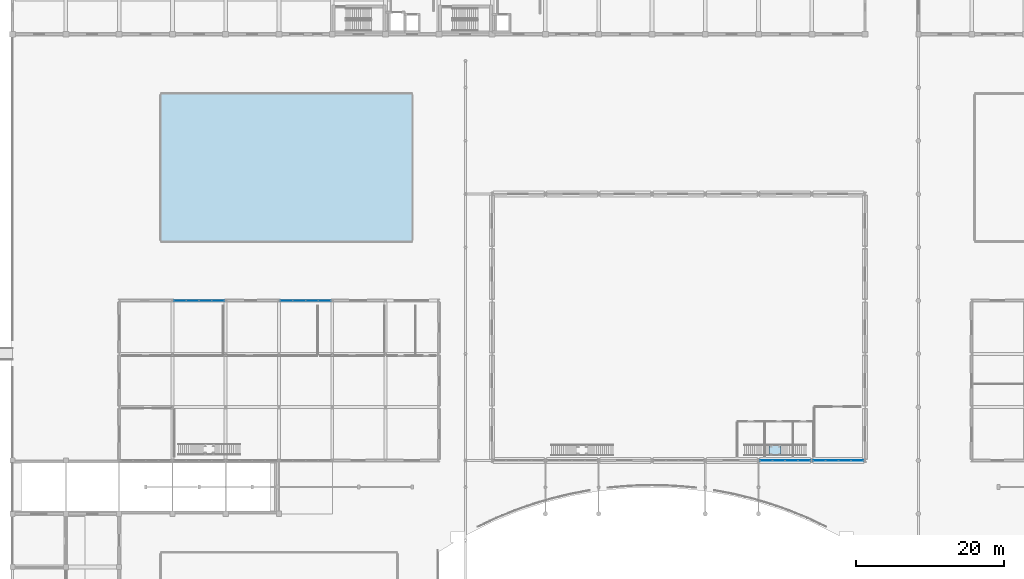
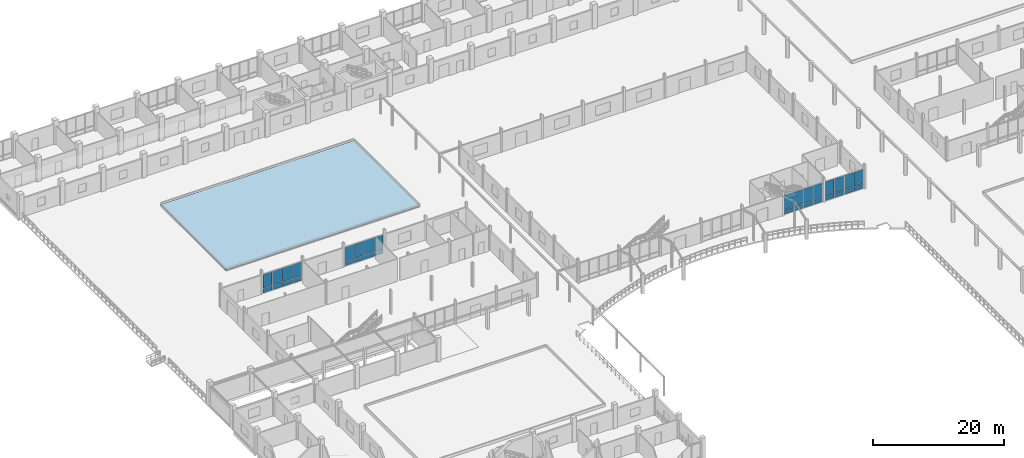
# One storey, part 104 of 139: 32 plates, 2 slabs, 5 elements without a shape of their own.
"""IFC4 building model written with IfcOpenShell, lengths in metres."""

from ifc_helpers import new_model, si_unit, direction, frame, origin, origin_2d, place, context, subcontext, project, spatial, polyline, rectangle, outline, extrude, material, layer, layer_set, type_object, element, aggregate, save


model = new_model("IFC4")

# Units and contexts
model_context = context("Model", 3, precision=1e-05, world=origin(), true_north=direction((0.0, 1.0)))
body_context = subcontext(model_context, "Body", "Model", "MODEL_VIEW")
ifc_project = project(units=[si_unit("LENGTHUNIT", "METRE"), si_unit("AREAUNIT", "SQUARE_METRE"), si_unit("VOLUMEUNIT", "CUBIC_METRE"), si_unit("PLANEANGLEUNIT", "RADIAN"), si_unit("MASSUNIT", "GRAM", prefix="KILO")], contexts=[model_context])

# Site, building, storey
site_placement = place(None, origin())
site = spatial("IfcSite", under=ifc_project, at=site_placement, CompositionType="ELEMENT")
building_placement = place(site_placement, origin())
building = spatial("IfcBuilding", under=site, at=building_placement, Name="Suanplinth Sawtooth Commons", CompositionType="ELEMENT")
storey_placement = place(building_placement, origin())
storey = spatial("IfcBuildingStorey", under=building, at=storey_placement, Name="L00", CompositionType="ELEMENT", Elevation=0.0)

# Curtain wall, plates
ifc_material_1 = material(Name="Anodized aluminium and low-E glazing", Category="aluminium")
curtain_wall_type_1 = type_object("IfcCurtainWallType", Name="CW-02", PredefinedType="USERDEFINED", material=ifc_material_1)
curtain_wall_1_placement = place(storey_placement, origin())
curtain_wall_1 = element("IfcCurtainWall", 1, at=curtain_wall_1_placement, inside=storey, type_object=curtain_wall_type_1, Name="Curtain Wall CW-L00-MKT-N-3", ObjectType="CURTAIN WALL", PredefinedType="USERDEFINED")
ifc_material_2 = material(Name="Tempered low-E double glazing", Category="glass")
ifc_layer_1 = layer(ifc_material_2, 0.028076171875, Name="Vision low-E insulated glazing unit 28mm")
ifc_layer_set_1 = layer_set([ifc_layer_1], Name="Tempered low-E double glazing")
plate_type_1 = type_object("IfcPlateType", Name="PL-05", PredefinedType="CURTAIN_PANEL", material=ifc_layer_set_1)
plate_1_placement = place(storey_placement, frame((22.628662109375, 72.0, 0.06494140625), z_axis=(0.0, 0.0, 1.0), x_axis=(1.0, 0.0, 0.0)))
plate_1 = element("IfcPlate", 2, at=plate_1_placement, type_object=plate_type_1, Name="CW-02 panel 1.1", PredefinedType="CURTAIN_PANEL", context=body_context, shape_type="SweptSolid", body=[
    extrude(rectangle(XDim=1.62744140625, YDim=0.028076171875, at=origin_2d()), origin(), (0.0, 0.0, 1.0), 0.802490234375),
])
plate_2_placement = place(storey_placement, frame((22.628662109375, 72.0, 0.9326171875), z_axis=(0.0, 0.0, 1.0), x_axis=(1.0, 0.0, 0.0)))
plate_2 = element("IfcPlate", 3, at=plate_2_placement, type_object=plate_type_1, Name="CW-02 panel 1.2", PredefinedType="CURTAIN_PANEL", context=body_context, shape_type="SweptSolid", body=[
    extrude(rectangle(XDim=1.62744140625, YDim=0.028076171875, at=origin_2d()), origin(), (0.0, 0.0, 1.0), 2.552490234375),
])
plate_3_placement = place(storey_placement, frame((24.33740234375, 72.0, 0.06494140625), z_axis=(0.0, 0.0, 1.0), x_axis=(1.0, 0.0, 0.0)))
plate_3 = element("IfcPlate", 4, at=plate_3_placement, type_object=plate_type_1, Name="CW-02 panel 2.1", PredefinedType="CURTAIN_PANEL", context=body_context, shape_type="SweptSolid", body=[
    extrude(rectangle(XDim=1.659912109375, YDim=0.028076171875, at=origin_2d()), origin(), (0.0, 0.0, 1.0), 0.802490234375),
])
plate_4_placement = place(storey_placement, frame((24.33740234375, 72.0, 0.9326171875), z_axis=(0.0, 0.0, 1.0), x_axis=(1.0, 0.0, 0.0)))
plate_4 = element("IfcPlate", 5, at=plate_4_placement, type_object=plate_type_1, Name="CW-02 panel 2.2", PredefinedType="CURTAIN_PANEL", context=body_context, shape_type="SweptSolid", body=[
    extrude(rectangle(XDim=1.659912109375, YDim=0.028076171875, at=origin_2d()), origin(), (0.0, 0.0, 1.0), 2.552490234375),
])
plate_5_placement = place(storey_placement, frame((26.0625, 72.0, 0.06494140625), z_axis=(0.0, 0.0, 1.0), x_axis=(1.0, 0.0, 0.0)))
plate_5 = element("IfcPlate", 6, at=plate_5_placement, type_object=plate_type_1, Name="CW-02 panel 3.1", PredefinedType="CURTAIN_PANEL", context=body_context, shape_type="SweptSolid", body=[
    extrude(rectangle(XDim=1.659912109375, YDim=0.028076171875, at=origin_2d()), origin(), (0.0, 0.0, 1.0), 0.802490234375),
])
plate_6_placement = place(storey_placement, frame((26.0625, 72.0, 0.9326171875), z_axis=(0.0, 0.0, 1.0), x_axis=(1.0, 0.0, 0.0)))
plate_6 = element("IfcPlate", 7, at=plate_6_placement, type_object=plate_type_1, Name="CW-02 panel 3.2", PredefinedType="CURTAIN_PANEL", context=body_context, shape_type="SweptSolid", body=[
    extrude(rectangle(XDim=1.659912109375, YDim=0.028076171875, at=origin_2d()), origin(), (0.0, 0.0, 1.0), 2.552490234375),
])
plate_7_placement = place(storey_placement, frame((27.771240234375, 72.0, 0.06494140625), z_axis=(0.0, 0.0, 1.0), x_axis=(1.0, 0.0, 0.0)))
plate_7 = element("IfcPlate", 8, at=plate_7_placement, type_object=plate_type_1, Name="CW-02 panel 4.1", PredefinedType="CURTAIN_PANEL", context=body_context, shape_type="SweptSolid", body=[
    extrude(rectangle(XDim=1.62744140625, YDim=0.028076171875, at=origin_2d()), origin(), (0.0, 0.0, 1.0), 0.802490234375),
])
plate_8_placement = place(storey_placement, frame((27.771240234375, 72.0, 0.9326171875), z_axis=(0.0, 0.0, 1.0), x_axis=(1.0, 0.0, 0.0)))
plate_8 = element("IfcPlate", 9, at=plate_8_placement, type_object=plate_type_1, Name="CW-02 panel 4.2", PredefinedType="CURTAIN_PANEL", context=body_context, shape_type="SweptSolid", body=[
    extrude(rectangle(XDim=1.62744140625, YDim=0.028076171875, at=origin_2d()), origin(), (0.0, 0.0, 1.0), 2.552490234375),
])
aggregate(curtain_wall_1, [plate_1, plate_2, plate_3, plate_4, plate_5, plate_6, plate_7, plate_8])

curtain_wall_2_placement = place(storey_placement, origin())
curtain_wall_2 = element("IfcCurtainWall", 10, at=curtain_wall_2_placement, inside=storey, type_object=curtain_wall_type_1, Name="Curtain Wall CW-L00-MKT-N-5", ObjectType="CURTAIN WALL", PredefinedType="USERDEFINED")
plate_9_placement = place(storey_placement, frame((37.02880859375, 72.0, 0.06494140625), z_axis=(0.0, 0.0, 1.0), x_axis=(1.0, 0.0, 0.0)))
plate_9 = element("IfcPlate", 11, at=plate_9_placement, type_object=plate_type_1, Name="CW-02 panel 1.1", PredefinedType="CURTAIN_PANEL", context=body_context, shape_type="SweptSolid", body=[
    extrude(rectangle(XDim=1.62744140625, YDim=0.028076171875, at=origin_2d()), origin(), (0.0, 0.0, 1.0), 0.802490234375),
])
plate_10_placement = place(storey_placement, frame((37.02880859375, 72.0, 0.9326171875), z_axis=(0.0, 0.0, 1.0), x_axis=(1.0, 0.0, 0.0)))
plate_10 = element("IfcPlate", 12, at=plate_10_placement, type_object=plate_type_1, Name="CW-02 panel 1.2", PredefinedType="CURTAIN_PANEL", context=body_context, shape_type="SweptSolid", body=[
    extrude(rectangle(XDim=1.62744140625, YDim=0.028076171875, at=origin_2d()), origin(), (0.0, 0.0, 1.0), 2.552490234375),
])
plate_11_placement = place(storey_placement, frame((38.737548828125, 72.0, 0.06494140625), z_axis=(0.0, 0.0, 1.0), x_axis=(1.0, 0.0, 0.0)))
plate_11 = element("IfcPlate", 13, at=plate_11_placement, type_object=plate_type_1, Name="CW-02 panel 2.1", PredefinedType="CURTAIN_PANEL", context=body_context, shape_type="SweptSolid", body=[
    extrude(rectangle(XDim=1.659912109375, YDim=0.028076171875, at=origin_2d()), origin(), (0.0, 0.0, 1.0), 0.802490234375),
])
plate_12_placement = place(storey_placement, frame((38.737548828125, 72.0, 0.9326171875), z_axis=(0.0, 0.0, 1.0), x_axis=(1.0, 0.0, 0.0)))
plate_12 = element("IfcPlate", 14, at=plate_12_placement, type_object=plate_type_1, Name="CW-02 panel 2.2", PredefinedType="CURTAIN_PANEL", context=body_context, shape_type="SweptSolid", body=[
    extrude(rectangle(XDim=1.659912109375, YDim=0.028076171875, at=origin_2d()), origin(), (0.0, 0.0, 1.0), 2.552490234375),
])
plate_13_placement = place(storey_placement, frame((40.46240234375, 72.0, 0.06494140625), z_axis=(0.0, 0.0, 1.0), x_axis=(1.0, 0.0, 0.0)))
plate_13 = element("IfcPlate", 15, at=plate_13_placement, type_object=plate_type_1, Name="CW-02 panel 3.1", PredefinedType="CURTAIN_PANEL", context=body_context, shape_type="SweptSolid", body=[
    extrude(rectangle(XDim=1.659912109375, YDim=0.028076171875, at=origin_2d()), origin(), (0.0, 0.0, 1.0), 0.802490234375),
])
plate_14_placement = place(storey_placement, frame((40.46240234375, 72.0, 0.9326171875), z_axis=(0.0, 0.0, 1.0), x_axis=(1.0, 0.0, 0.0)))
plate_14 = element("IfcPlate", 16, at=plate_14_placement, type_object=plate_type_1, Name="CW-02 panel 3.2", PredefinedType="CURTAIN_PANEL", context=body_context, shape_type="SweptSolid", body=[
    extrude(rectangle(XDim=1.659912109375, YDim=0.028076171875, at=origin_2d()), origin(), (0.0, 0.0, 1.0), 2.552490234375),
])
plate_15_placement = place(storey_placement, frame((42.171142578125, 72.0, 0.06494140625), z_axis=(0.0, 0.0, 1.0), x_axis=(1.0, 0.0, 0.0)))
plate_15 = element("IfcPlate", 17, at=plate_15_placement, type_object=plate_type_1, Name="CW-02 panel 4.1", PredefinedType="CURTAIN_PANEL", context=body_context, shape_type="SweptSolid", body=[
    extrude(rectangle(XDim=1.62744140625, YDim=0.028076171875, at=origin_2d()), origin(), (0.0, 0.0, 1.0), 0.802490234375),
])
plate_16_placement = place(storey_placement, frame((42.171142578125, 72.0, 0.9326171875), z_axis=(0.0, 0.0, 1.0), x_axis=(1.0, 0.0, 0.0)))
plate_16 = element("IfcPlate", 18, at=plate_16_placement, type_object=plate_type_1, Name="CW-02 panel 4.2", PredefinedType="CURTAIN_PANEL", context=body_context, shape_type="SweptSolid", body=[
    extrude(rectangle(XDim=1.62744140625, YDim=0.028076171875, at=origin_2d()), origin(), (0.0, 0.0, 1.0), 2.552490234375),
])
aggregate(curtain_wall_2, [plate_9, plate_10, plate_11, plate_12, plate_13, plate_14, plate_15, plate_16])

curtain_wall_type_2 = type_object("IfcCurtainWallType", Name="CW-01", PredefinedType="USERDEFINED", material=ifc_material_1)
curtain_wall_3_placement = place(storey_placement, origin())
curtain_wall_3 = element("IfcCurtainWall", 19, at=curtain_wall_3_placement, inside=storey, type_object=curtain_wall_type_2, Name="Curtain Wall CW-L00-HALL-S-5", ObjectType="CURTAIN WALL", PredefinedType="USERDEFINED")
ifc_material_3 = material(Name="Laminated solar-control acoustic glazing", Category="glass")
ifc_layer_2 = layer(ifc_material_3, 0.031982421875, Name="Acoustic laminated vision glazing panel 32mm")
ifc_layer_set_2 = layer_set([ifc_layer_2], Name="Laminated solar-control acoustic glazing")
plate_type_2 = type_object("IfcPlateType", Name="PL-06", PredefinedType="CURTAIN_PANEL", material=ifc_layer_set_2)
plate_17_placement = place(storey_placement, frame((101.831298828125, 50.39990234375, 0.074951171875), z_axis=(0.0, 0.0, 1.0), x_axis=(1.0, 0.0, 0.0)))
plate_17 = element("IfcPlate", 20, at=plate_17_placement, type_object=plate_type_2, Name="CW-01 panel 1.1", PredefinedType="CURTAIN_PANEL", context=body_context, shape_type="SweptSolid", body=[
    extrude(rectangle(XDim=1.612548828125, YDim=0.031982421875, at=origin_2d()), origin(), (0.0, 0.0, 1.0), 0.78759765625),
])
plate_18_placement = place(storey_placement, frame((101.831298828125, 50.39990234375, 0.9375), z_axis=(0.0, 0.0, 1.0), x_axis=(1.0, 0.0, 0.0)))
plate_18 = element("IfcPlate", 21, at=plate_18_placement, type_object=plate_type_2, Name="CW-01 panel 1.2", PredefinedType="CURTAIN_PANEL", context=body_context, shape_type="SweptSolid", body=[
    extrude(rectangle(XDim=1.612548828125, YDim=0.031982421875, at=origin_2d()), origin(), (0.0, 0.0, 1.0), 2.637451171875),
])
plate_19_placement = place(storey_placement, frame((103.53759765625, 50.39990234375, 0.074951171875), z_axis=(0.0, 0.0, 1.0), x_axis=(1.0, 0.0, 0.0)))
plate_19 = element("IfcPlate", 22, at=plate_19_placement, type_object=plate_type_2, Name="CW-01 panel 2.1", PredefinedType="CURTAIN_PANEL", context=body_context, shape_type="SweptSolid", body=[
    extrude(rectangle(XDim=1.64990234375, YDim=0.031982421875, at=origin_2d()), origin(), (0.0, 0.0, 1.0), 0.78759765625),
])
plate_20_placement = place(storey_placement, frame((103.53759765625, 50.39990234375, 0.9375), z_axis=(0.0, 0.0, 1.0), x_axis=(1.0, 0.0, 0.0)))
plate_20 = element("IfcPlate", 23, at=plate_20_placement, type_object=plate_type_2, Name="CW-01 panel 2.2", PredefinedType="CURTAIN_PANEL", context=body_context, shape_type="SweptSolid", body=[
    extrude(rectangle(XDim=1.64990234375, YDim=0.031982421875, at=origin_2d()), origin(), (0.0, 0.0, 1.0), 2.637451171875),
])
plate_21_placement = place(storey_placement, frame((105.262451171875, 50.39990234375, 0.074951171875), z_axis=(0.0, 0.0, 1.0), x_axis=(1.0, 0.0, 0.0)))
plate_21 = element("IfcPlate", 24, at=plate_21_placement, type_object=plate_type_2, Name="CW-01 panel 3.1", PredefinedType="CURTAIN_PANEL", context=body_context, shape_type="SweptSolid", body=[
    extrude(rectangle(XDim=1.64990234375, YDim=0.031982421875, at=origin_2d()), origin(), (0.0, 0.0, 1.0), 0.78759765625),
])
plate_22_placement = place(storey_placement, frame((105.262451171875, 50.39990234375, 0.9375), z_axis=(0.0, 0.0, 1.0), x_axis=(1.0, 0.0, 0.0)))
plate_22 = element("IfcPlate", 25, at=plate_22_placement, type_object=plate_type_2, Name="CW-01 panel 3.2", PredefinedType="CURTAIN_PANEL", context=body_context, shape_type="SweptSolid", body=[
    extrude(rectangle(XDim=1.64990234375, YDim=0.031982421875, at=origin_2d()), origin(), (0.0, 0.0, 1.0), 2.637451171875),
])
plate_23_placement = place(storey_placement, frame((106.96875, 50.39990234375, 0.074951171875), z_axis=(0.0, 0.0, 1.0), x_axis=(1.0, 0.0, 0.0)))
plate_23 = element("IfcPlate", 26, at=plate_23_placement, type_object=plate_type_2, Name="CW-01 panel 4.1", PredefinedType="CURTAIN_PANEL", context=body_context, shape_type="SweptSolid", body=[
    extrude(rectangle(XDim=1.612548828125, YDim=0.031982421875, at=origin_2d()), origin(), (0.0, 0.0, 1.0), 0.78759765625),
])
plate_24_placement = place(storey_placement, frame((106.96875, 50.39990234375, 0.9375), z_axis=(0.0, 0.0, 1.0), x_axis=(1.0, 0.0, 0.0)))
plate_24 = element("IfcPlate", 27, at=plate_24_placement, type_object=plate_type_2, Name="CW-01 panel 4.2", PredefinedType="CURTAIN_PANEL", context=body_context, shape_type="SweptSolid", body=[
    extrude(rectangle(XDim=1.612548828125, YDim=0.031982421875, at=origin_2d()), origin(), (0.0, 0.0, 1.0), 2.637451171875),
])
aggregate(curtain_wall_3, [plate_17, plate_18, plate_19, plate_20, plate_21, plate_22, plate_23, plate_24])

curtain_wall_4_placement = place(storey_placement, origin())
curtain_wall_4 = element("IfcCurtainWall", 28, at=curtain_wall_4_placement, inside=storey, type_object=curtain_wall_type_2, Name="Curtain Wall CW-L00-HALL-S-6", ObjectType="CURTAIN WALL", PredefinedType="USERDEFINED")
plate_25_placement = place(storey_placement, frame((109.03125, 50.39990234375, 0.074951171875), z_axis=(0.0, 0.0, 1.0), x_axis=(1.0, 0.0, 0.0)))
plate_25 = element("IfcPlate", 29, at=plate_25_placement, type_object=plate_type_2, Name="CW-01 panel 1.1", PredefinedType="CURTAIN_PANEL", context=body_context, shape_type="SweptSolid", body=[
    extrude(rectangle(XDim=1.612548828125, YDim=0.031982421875, at=origin_2d()), origin(), (0.0, 0.0, 1.0), 0.78759765625),
])
plate_26_placement = place(storey_placement, frame((109.03125, 50.39990234375, 0.9375), z_axis=(0.0, 0.0, 1.0), x_axis=(1.0, 0.0, 0.0)))
plate_26 = element("IfcPlate", 30, at=plate_26_placement, type_object=plate_type_2, Name="CW-01 panel 1.2", PredefinedType="CURTAIN_PANEL", context=body_context, shape_type="SweptSolid", body=[
    extrude(rectangle(XDim=1.612548828125, YDim=0.031982421875, at=origin_2d()), origin(), (0.0, 0.0, 1.0), 2.637451171875),
])
plate_27_placement = place(storey_placement, frame((110.737548828125, 50.39990234375, 0.074951171875), z_axis=(0.0, 0.0, 1.0), x_axis=(1.0, 0.0, 0.0)))
plate_27 = element("IfcPlate", 31, at=plate_27_placement, type_object=plate_type_2, Name="CW-01 panel 2.1", PredefinedType="CURTAIN_PANEL", context=body_context, shape_type="SweptSolid", body=[
    extrude(rectangle(XDim=1.64990234375, YDim=0.031982421875, at=origin_2d()), origin(), (0.0, 0.0, 1.0), 0.78759765625),
])
plate_28_placement = place(storey_placement, frame((110.737548828125, 50.39990234375, 0.9375), z_axis=(0.0, 0.0, 1.0), x_axis=(1.0, 0.0, 0.0)))
plate_28 = element("IfcPlate", 32, at=plate_28_placement, type_object=plate_type_2, Name="CW-01 panel 2.2", PredefinedType="CURTAIN_PANEL", context=body_context, shape_type="SweptSolid", body=[
    extrude(rectangle(XDim=1.64990234375, YDim=0.031982421875, at=origin_2d()), origin(), (0.0, 0.0, 1.0), 2.637451171875),
])
plate_29_placement = place(storey_placement, frame((112.46240234375, 50.39990234375, 0.074951171875), z_axis=(0.0, 0.0, 1.0), x_axis=(1.0, 0.0, 0.0)))
plate_29 = element("IfcPlate", 33, at=plate_29_placement, type_object=plate_type_2, Name="CW-01 panel 3.1", PredefinedType="CURTAIN_PANEL", context=body_context, shape_type="SweptSolid", body=[
    extrude(rectangle(XDim=1.64990234375, YDim=0.031982421875, at=origin_2d()), origin(), (0.0, 0.0, 1.0), 0.78759765625),
])
plate_30_placement = place(storey_placement, frame((112.46240234375, 50.39990234375, 0.9375), z_axis=(0.0, 0.0, 1.0), x_axis=(1.0, 0.0, 0.0)))
plate_30 = element("IfcPlate", 34, at=plate_30_placement, type_object=plate_type_2, Name="CW-01 panel 3.2", PredefinedType="CURTAIN_PANEL", context=body_context, shape_type="SweptSolid", body=[
    extrude(rectangle(XDim=1.64990234375, YDim=0.031982421875, at=origin_2d()), origin(), (0.0, 0.0, 1.0), 2.637451171875),
])
plate_31_placement = place(storey_placement, frame((114.168701171875, 50.39990234375, 0.074951171875), z_axis=(0.0, 0.0, 1.0), x_axis=(1.0, 0.0, 0.0)))
plate_31 = element("IfcPlate", 35, at=plate_31_placement, type_object=plate_type_2, Name="CW-01 panel 4.1", PredefinedType="CURTAIN_PANEL", context=body_context, shape_type="SweptSolid", body=[
    extrude(rectangle(XDim=1.612548828125, YDim=0.031982421875, at=origin_2d()), origin(), (0.0, 0.0, 1.0), 0.78759765625),
])
plate_32_placement = place(storey_placement, frame((114.168701171875, 50.39990234375, 0.9375), z_axis=(0.0, 0.0, 1.0), x_axis=(1.0, 0.0, 0.0)))
plate_32 = element("IfcPlate", 36, at=plate_32_placement, type_object=plate_type_2, Name="CW-01 panel 4.2", PredefinedType="CURTAIN_PANEL", context=body_context, shape_type="SweptSolid", body=[
    extrude(rectangle(XDim=1.612548828125, YDim=0.031982421875, at=origin_2d()), origin(), (0.0, 0.0, 1.0), 2.637451171875),
])
aggregate(curtain_wall_4, [plate_25, plate_26, plate_27, plate_28, plate_29, plate_30, plate_31, plate_32])

# Stair, slab
ifc_material_4 = material(Name="Concrete C40/50", Category="concrete")
stair_type = type_object("IfcStairType", Name="ST-10", PredefinedType="STRAIGHT_RUN_STAIR", material=ifc_material_4)
stair_placement = place(storey_placement, origin())
stair = element("IfcStair", 37, at=stair_placement, inside=storey, type_object=stair_type, Name="Community Hall East Gallery Stair", PredefinedType="STRAIGHT_RUN_STAIR")
ifc_layer_3 = layer(ifc_material_4, 0.199951171875, Name="Reinforced concrete stair and ramp landing slab 200mm")
ifc_layer_set_3 = layer_set([ifc_layer_3], Name="Concrete C40/50")
slab_type_1 = type_object("IfcSlabType", Name="S-LD01", PredefinedType="LANDING", material=ifc_layer_set_3)
slab_1_placement = place(storey_placement, frame((0.0, 0.0, 2.050048828125)))
slab_1 = element("IfcSlab", 38, at=slab_1_placement, type_object=slab_type_1, Name="ST-10 landing 1", PredefinedType="LANDING", context=body_context, shape_type="SweptSolid", body=[
    extrude(outline(polyline([(102.239990234375, 51.050048828125), (103.840087890625, 51.050048828125), (103.840087890625, 52.550048828125), (102.239990234375, 52.550048828125), (102.239990234375, 51.050048828125)])), origin(), (0.0, 0.0, 1.0), 0.199951171875),
])
aggregate(stair, [slab_1])

# Slab
ifc_layer_4 = layer(ifc_material_4, 0.18994140625, Name="Courtyard tropical rain-garden bed slab 190mm")
ifc_layer_set_4 = layer_set([ifc_layer_4], Name="Concrete C40/50")
slab_type_2 = type_object("IfcSlabType", Name="S-TR02", PredefinedType="FLOOR", material=ifc_layer_set_4)
slab_2_placement = place(storey_placement, origin())
element("IfcSlab", 39, at=slab_2_placement, inside=storey, type_object=slab_type_2, Name="North-West Courtyard Tropical Rain Garden", PredefinedType="FLOOR", context=body_context, shape_type="SweptSolid", body=[
    extrude(outline(polyline([(20.0, 80.0), (54.0, 80.0), (54.0, 100.0), (20.0, 100.0), (20.0, 80.0)])), origin(), (0.0, 0.0, 1.0), 0.18994140625),
])

save(model, "model.ifc")
